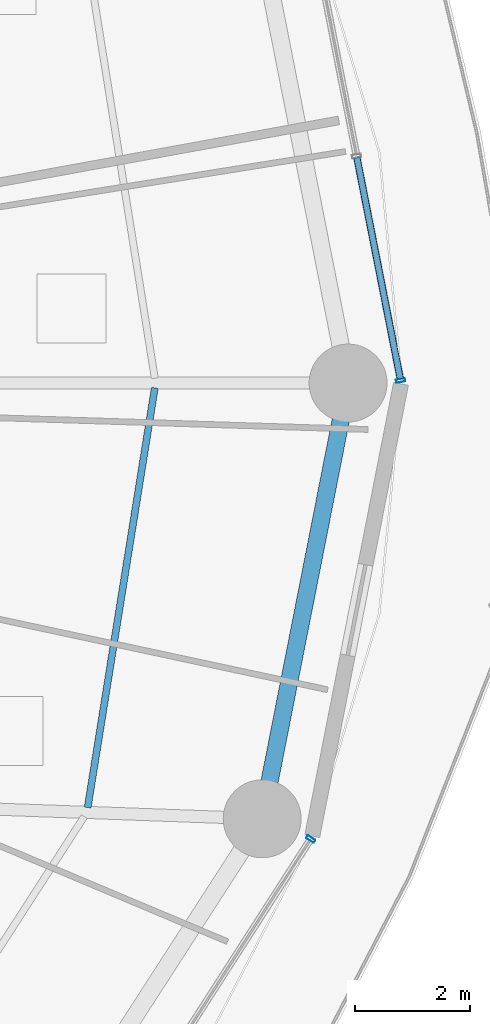
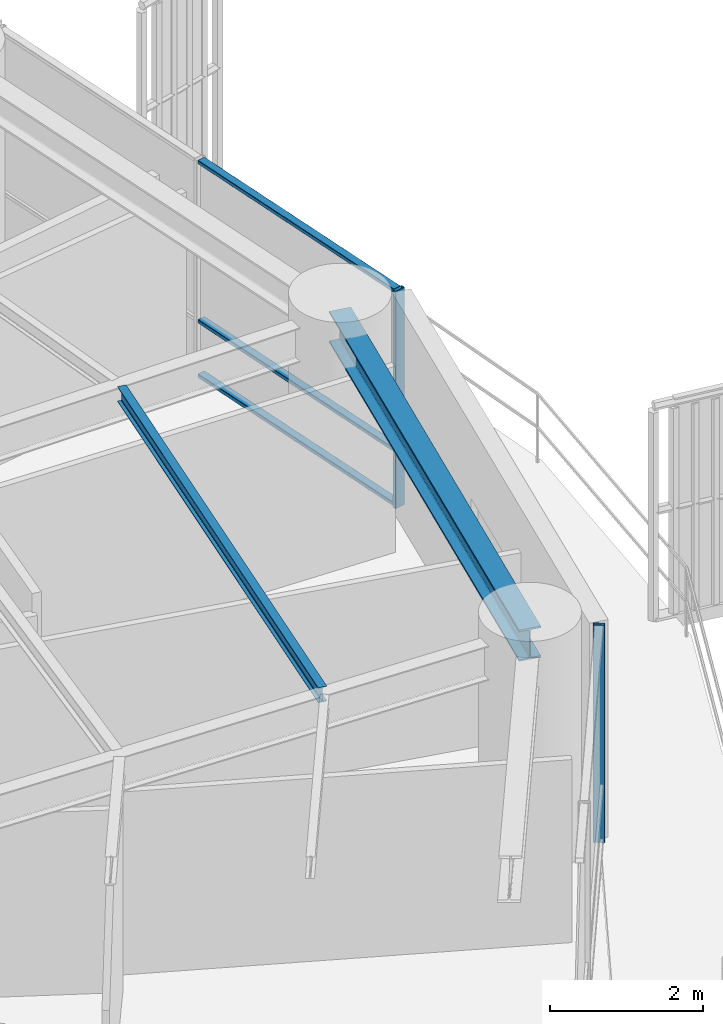
# One storey, part 13 of 34: 5 members, 2 beams, 2 elements without a shape of their own.
"""IFC4 building model written with IfcOpenShell, lengths in metres."""

from ifc_helpers import new_model, si_unit, direction, frame, origin, origin_2d, place, context, subcontext, project, spatial, hollow_rectangle, i_section, extrude, material, layer, layer_set, material_profile, profile_set, type_object, element, aggregate, save


model = new_model("IFC4")

# Units and contexts
model_context = context("Model", 3, precision=1e-05, world=origin(), true_north=direction((0.0, 1.0)))
body_context = subcontext(model_context, "Body", "Model", "MODEL_VIEW")
ifc_project = project(units=[si_unit("LENGTHUNIT", "METRE"), si_unit("AREAUNIT", "SQUARE_METRE"), si_unit("VOLUMEUNIT", "CUBIC_METRE"), si_unit("PLANEANGLEUNIT", "RADIAN"), si_unit("MASSUNIT", "GRAM", prefix="KILO")], contexts=[model_context])

# Site, building, storey
site_placement = place(None, origin())
site = spatial("IfcSite", under=ifc_project, at=site_placement, CompositionType="ELEMENT")
building_placement = place(site_placement, origin())
building = spatial("IfcBuilding", under=site, at=building_placement, Name="Kelanora Arch Commons", CompositionType="ELEMENT")
storey_placement = place(building_placement, frame((0.0, 0.0, 76.35009765625)))
storey = spatial("IfcBuildingStorey", under=building, at=storey_placement, Name="L19", CompositionType="ELEMENT", Elevation=76.35009765625)

# Beams
ifc_material_1 = material(Name="Steel S355", Category="steel")
ifc_material_profile_1 = material_profile(ifc_material_1, i_section(OverallWidth=0.1201171875, OverallDepth=0.239990234375, WebThickness=0.006103515625, FlangeThickness=0.009765625, FilletRadius=0.014892578125, at=origin_2d()), Name="IPE240")
ifc_profile_set_1 = profile_set([ifc_material_profile_1], Name="Steel S355")
beam_type_1 = type_object("IfcBeamType", Name="BM-JST-02", PredefinedType="JOIST", material=ifc_profile_set_1)
beam_1_placement = place(storey_placement, frame((94.166748046875, 50.642578125, 3.369873046875), z_axis=(0.157999549894, 0.987439184068, 0.0), x_axis=(-0.987439184068, 0.157999549894, 0.0)))
element("IfcBeam", 1, at=beam_1_placement, inside=storey, type_object=beam_type_1, Name="Secondary Chord Joist BJC-34 L19", PredefinedType="JOIST", context=body_context, shape_type="SweptSolid", body=[
    extrude(i_section(OverallWidth=0.1201171875, OverallDepth=0.239990234375, WebThickness=0.006103515625, FlangeThickness=0.009765625, FilletRadius=0.014892578125, at=origin_2d()), origin(), (0.0, 0.0, 1.0), 7.365966796875),
])
ifc_material_profile_2 = material_profile(ifc_material_1, i_section(OverallWidth=0.300048828125, OverallDepth=0.5, WebThickness=0.014404296875, FlangeThickness=0.028076171875, FilletRadius=0.027099609375, at=origin_2d()), Name="HEB500")
ifc_profile_set_2 = profile_set([ifc_material_profile_2], Name="Steel S355")
beam_type_2 = type_object("IfcBeamType", Name="BM-SPN-Z2", PredefinedType="SPANDREL", material=ifc_profile_set_2)
beam_2_placement = place(storey_placement, frame((97.191650390625, 50.4482421875, 3.239990234375), z_axis=(0.19335825777, 0.981128220037, 0.0), x_axis=(-0.981128220037, 0.19335825777, 0.0)))
element("IfcBeam", 2, at=beam_2_placement, inside=storey, type_object=beam_type_2, Name="Perimeter Spandrel Beam BS-34 L19", PredefinedType="SPANDREL", context=body_context, shape_type="SweptSolid", body=[
    extrude(i_section(OverallWidth=0.300048828125, OverallDepth=0.5, WebThickness=0.014404296875, FlangeThickness=0.028076171875, FilletRadius=0.027099609375, at=origin_2d()), origin(), (0.0, 0.0, 1.0), 7.697021484375),
])

# Curtain wall, member
ifc_material_2 = material(Name="Terracotta ceramic-fritted low-E glass and aluminium", Category="masonry")
ifc_layer = layer(ifc_material_2, 0.159912109375)
ifc_layer_set = layer_set([ifc_layer], Name="Terracotta ceramic-fritted low-E glass and aluminium")
curtain_wall_type = type_object("IfcCurtainWallType", Name="CW-SYS-01", PredefinedType="NOTDEFINED", material=ifc_layer_set)
curtain_wall_1_placement = place(storey_placement, origin())
curtain_wall_1 = element("IfcCurtainWall", 3, at=curtain_wall_1_placement, inside=storey, type_object=curtain_wall_type, Name="Unitised Curtain Wall L19-B00", PredefinedType="NOTDEFINED")
ifc_material_3 = material(Name="Powder-coated aluminium terracotta", Category="masonry")
ifc_material_profile_3 = material_profile(ifc_material_3, hollow_rectangle(XDim=0.159912109375, YDim=0.06005859375, WallThickness=0.0048828125, InnerFilletRadius=0.0048828125, OuterFilletRadius=0.010009765625, at=origin_2d()), Name="CWM160x60")
ifc_profile_set_3 = profile_set([ifc_material_profile_3], Name="Powder-coated aluminium terracotta")
member_type_1 = type_object("IfcMemberType", Name="CWM-STD", PredefinedType="MULLION", material=ifc_profile_set_3)
member_1_placement = place(storey_placement, frame((99.59130859375, 58.044189453125, 0.0), z_axis=(0.0, 0.0, 1.0), x_axis=(-0.981280311646, -0.192584916272, 0.0)))
member_1 = element("IfcMember", 4, at=member_1_placement, type_object=member_type_1, Name="CW-01 mullion 1", PredefinedType="MULLION", context=body_context, shape_type="SweptSolid", body=[
    extrude(hollow_rectangle(XDim=0.159912109375, YDim=0.06005859375, WallThickness=0.0048828125, InnerFilletRadius=0.0048828125, OuterFilletRadius=0.010009765625, at=origin_2d()), origin(), (0.0, 0.0, 1.0), 3.474853515625),
])

curtain_wall_2_placement = place(storey_placement, origin())
curtain_wall_2 = element("IfcCurtainWall", 5, at=curtain_wall_2_placement, inside=storey, type_object=curtain_wall_type, Name="Unitised Curtain Wall L19-B16", PredefinedType="NOTDEFINED")
member_2_placement = place(storey_placement, frame((98.03173828125, 50.095703125, 0.0), z_axis=(0.0, 0.0, 1.0), x_axis=(-0.841268883088, 0.540616931244, 0.0)))
member_2 = element("IfcMember", 6, at=member_2_placement, type_object=member_type_1, Name="CW-01 mullion 3", PredefinedType="MULLION", context=body_context, shape_type="SweptSolid", body=[
    extrude(hollow_rectangle(XDim=0.159912109375, YDim=0.06005859375, WallThickness=0.0048828125, InnerFilletRadius=0.0048828125, OuterFilletRadius=0.010009765625, at=origin_2d()), origin(), (0.0, 0.0, 1.0), 3.474853515625),
])
aggregate(curtain_wall_2, [member_2])

# Member
ifc_material_profile_4 = material_profile(ifc_material_3, hollow_rectangle(XDim=0.1201171875, YDim=0.06005859375, WallThickness=0.0048828125, InnerFilletRadius=0.0048828125, OuterFilletRadius=0.010009765625, at=origin_2d()), Name="CWT120x60")
ifc_profile_set_4 = profile_set([ifc_material_profile_4], Name="Powder-coated aluminium terracotta")
member_type_2 = type_object("IfcMemberType", Name="CWT-STD", PredefinedType="USERDEFINED", material=ifc_profile_set_4)
member_3_placement = place(storey_placement, frame((99.58544921875, 58.073486328125, 0.02978515625), z_axis=(-0.192578614785, 0.981281548348, 0.0), x_axis=(-0.981281548348, -0.192578614785, 0.0)))
member_3 = element("IfcMember", 7, at=member_3_placement, type_object=member_type_2, Name="CW-01 transom 1.1", ObjectType="TRANSOM", PredefinedType="USERDEFINED", context=body_context, shape_type="SweptSolid", body=[
    extrude(hollow_rectangle(XDim=0.1201171875, YDim=0.06005859375, WallThickness=0.0048828125, InnerFilletRadius=0.0048828125, OuterFilletRadius=0.010009765625, at=origin_2d()), origin(), (0.0, 0.0, 1.0), 3.9033203125),
])

member_4_placement = place(storey_placement, frame((99.58544921875, 58.073486328125, 0.89990234375), z_axis=(-0.192578614785, 0.981281548348, 0.0), x_axis=(-0.981281548348, -0.192578614785, 0.0)))
member_4 = element("IfcMember", 8, at=member_4_placement, type_object=member_type_2, Name="CW-01 transom 1.2", ObjectType="TRANSOM", PredefinedType="USERDEFINED", context=body_context, shape_type="SweptSolid", body=[
    extrude(hollow_rectangle(XDim=0.1201171875, YDim=0.06005859375, WallThickness=0.0048828125, InnerFilletRadius=0.0048828125, OuterFilletRadius=0.010009765625, at=origin_2d()), origin(), (0.0, 0.0, 1.0), 3.9033203125),
])

member_5_placement = place(storey_placement, frame((99.58544921875, 58.073486328125, 3.44482421875), z_axis=(-0.192578614785, 0.981281548348, 0.0), x_axis=(-0.981281548348, -0.192578614785, 0.0)))
member_5 = element("IfcMember", 9, at=member_5_placement, type_object=member_type_2, Name="CW-01 transom 1.3", ObjectType="TRANSOM", PredefinedType="USERDEFINED", context=body_context, shape_type="SweptSolid", body=[
    extrude(hollow_rectangle(XDim=0.1201171875, YDim=0.06005859375, WallThickness=0.0048828125, InnerFilletRadius=0.0048828125, OuterFilletRadius=0.010009765625, at=origin_2d()), origin(), (0.0, 0.0, 1.0), 3.9033203125),
])

aggregate(curtain_wall_1, [member_1, member_3, member_4, member_5])

save(model, "model.ifc")
